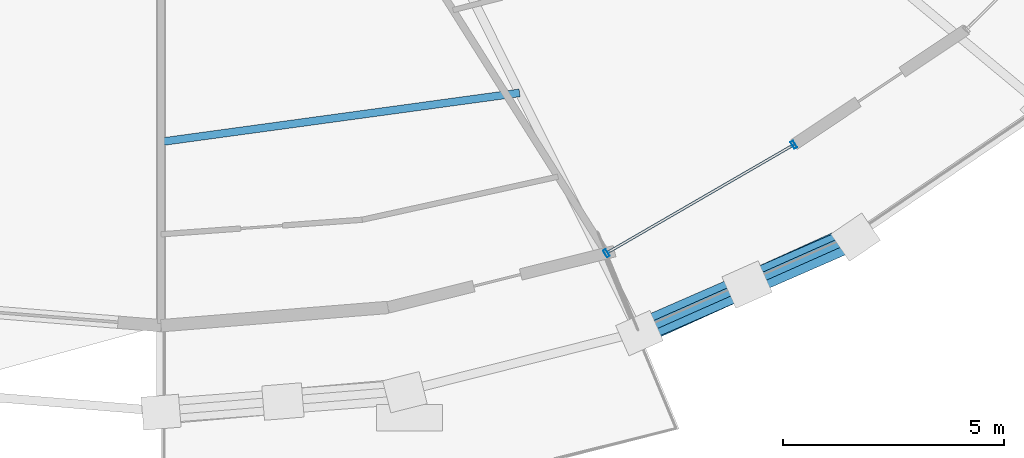
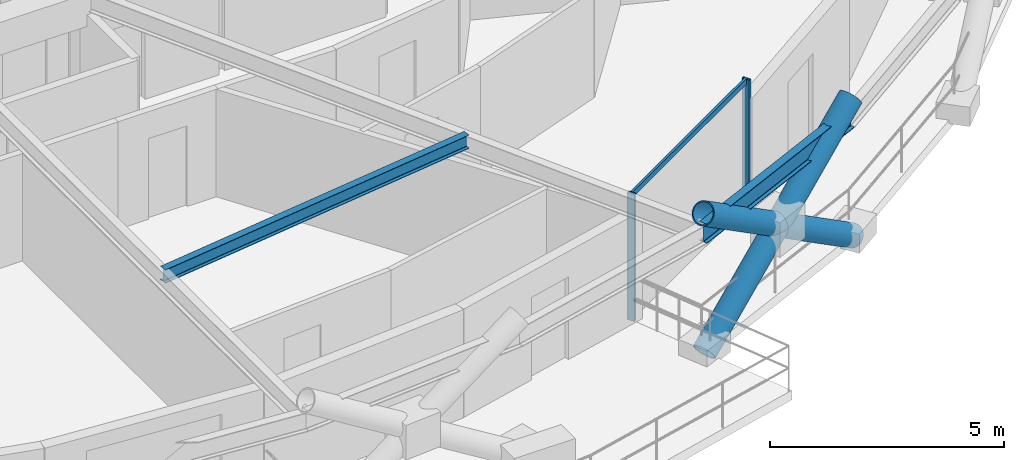
# One storey, part 2 of 14: 6 members, 2 beams, 1 element without a shape of its own.
"""IFC4 building model written with IfcOpenShell, lengths in metres."""

from ifc_helpers import new_model, si_unit, direction, frame, origin, origin_2d, place, context, subcontext, project, spatial, hollow_rectangle, hollow_circle, i_section, extrude, material, layer, layer_set, material_profile, profile_set, type_object, element, aggregate, save


model = new_model("IFC4")

# Units and contexts
model_context = context("Model", 3, precision=1e-05, world=origin(), true_north=direction((0.0, 1.0)))
body_context = subcontext(model_context, "Body", "Model", "MODEL_VIEW")
ifc_project = project(units=[si_unit("LENGTHUNIT", "METRE"), si_unit("AREAUNIT", "SQUARE_METRE"), si_unit("VOLUMEUNIT", "CUBIC_METRE"), si_unit("PLANEANGLEUNIT", "RADIAN"), si_unit("MASSUNIT", "GRAM", prefix="KILO")], contexts=[model_context])

# Site, building, storey
site_placement = place(None, origin())
site = spatial("IfcSite", under=ifc_project, at=site_placement, CompositionType="ELEMENT")
building_placement = place(site_placement, origin())
building = spatial("IfcBuilding", under=site, at=building_placement, Name="Veldorina Hangang Commons", CompositionType="ELEMENT")
storey_placement = place(building_placement, frame((0.0, 0.0, 149.60009765625)))
storey = spatial("IfcBuildingStorey", under=building, at=storey_placement, Name="L38", CompositionType="ELEMENT", Elevation=149.60009765625)

# Beams
ifc_material_1 = material(Name="Steel SM355-TMC", Category="steel")
ifc_material_profile_1 = material_profile(ifc_material_1, i_section(OverallWidth=0.175048828125, OverallDepth=0.35009765625, WebThickness=0.007080078125, FlangeThickness=0.010986328125, FilletRadius=0.012939453125, at=origin_2d()), Name="H-350x175x7x11")
ifc_profile_set_1 = profile_set([ifc_material_profile_1], Name="Steel SM355-TMC")
beam_type_1 = type_object("IfcBeamType", Name="BM-JST350", PredefinedType="JOIST", material=ifc_profile_set_1)
beam_1_placement = place(storey_placement, frame((32.0, 6.598388671875, 3.1748046875), z_axis=(0.990806050519, 0.13528994883, 0.0), x_axis=(-0.13528994883, 0.990806050519, 0.0)))
element("IfcBeam", 1, at=beam_1_placement, inside=storey, type_object=beam_type_1, Name="L38 secondary floor joist 13", PredefinedType="JOIST", context=body_context, shape_type="SweptSolid", body=[
    extrude(i_section(OverallWidth=0.175048828125, OverallDepth=0.35009765625, WebThickness=0.007080078125, FlangeThickness=0.010986328125, FilletRadius=0.012939453125, at=origin_2d()), origin(), (0.0, 0.0, 1.0), 8.1982421875),
])
ifc_material_2 = material(Name="Steel SM420-TMC", Category="steel")
ifc_material_profile_2 = material_profile(ifc_material_2, i_section(OverallWidth=0.199951171875, OverallDepth=0.5, WebThickness=0.010009765625, FlangeThickness=0.01611328125, FilletRadius=0.01611328125, at=origin_2d()), Name="H-500x200x10x16")
ifc_profile_set_2 = profile_set([ifc_material_profile_2], Name="Steel SM420-TMC")
beam_type_2 = type_object("IfcBeamType", Name="BM-RB500", PredefinedType="BEAM", material=ifc_profile_set_2)
beam_2_placement = place(storey_placement, frame((42.824951171875, 2.2880859375, 3.099853515625), z_axis=(0.91394132535, 0.405846342619, 0.0), x_axis=(-0.405846342619, 0.91394132535, 0.0)))
element("IfcBeam", 2, at=beam_2_placement, inside=storey, type_object=beam_type_2, Name="L38 perimeter hoop ring beam 26", PredefinedType="BEAM", context=body_context, shape_type="SweptSolid", body=[
    extrude(i_section(OverallWidth=0.199951171875, OverallDepth=0.5, WebThickness=0.010009765625, FlangeThickness=0.01611328125, FilletRadius=0.01611328125, at=origin_2d()), origin(), (0.0, 0.0, 1.0), 5.350830078125),
])

# Curtain wall, members
ifc_material_3 = material(Name="Glass Low-E Triple IGU", Category="glass")
ifc_layer = layer(ifc_material_3, 0.179931640625)
ifc_layer_set = layer_set([ifc_layer], Name="Glass Low-E Triple IGU")
curtain_wall_type = type_object("IfcCurtainWallType", Name="CW-SYS-Z2", PredefinedType="NOTDEFINED", material=ifc_layer_set)
curtain_wall_placement = place(storey_placement, origin())
curtain_wall = element("IfcCurtainWall", 3, at=curtain_wall_placement, inside=storey, type_object=curtain_wall_type, Name="L38 unitised curtain wall CW-L38-R1", PredefinedType="NOTDEFINED")
ifc_material_4 = material(Name="Aluminium Anodized AA6063-T6", Category="aluminium")
ifc_material_profile_3 = material_profile(ifc_material_4, hollow_rectangle(XDim=0.070068359375, YDim=0.179931640625, WallThickness=0.00390625, at=origin_2d()), Name="ALU-RHS-180x70x4")
ifc_profile_set_3 = profile_set([ifc_material_profile_3], Name="Aluminium Anodized AA6063-T6")
member_type_1 = type_object("IfcMemberType", Name="CW-MUL-180", PredefinedType="MULLION", material=ifc_profile_set_3)
member_1_placement = place(storey_placement, frame((42.08984375, 4.07373046875, 0.0), z_axis=(0.0, 0.0, 1.0), x_axis=(0.865440126505, 0.501012362557, 0.0)))
member_1 = element("IfcMember", 4, at=member_1_placement, type_object=member_type_1, Name="CW-L38-R1 vertical mullion 1", PredefinedType="MULLION", context=body_context, shape_type="SweptSolid", body=[
    extrude(hollow_rectangle(XDim=0.070068359375, YDim=0.179931640625, WallThickness=0.00390625, at=origin_2d()), origin(), (0.0, 0.0, 1.0), 3.309814453125),
])
member_2_placement = place(storey_placement, frame((46.3369140625, 6.532470703125, 0.0), z_axis=(0.0, 0.0, 1.0), x_axis=(-0.865440126505, -0.501012362557, 0.0)))
member_2 = element("IfcMember", 5, at=member_2_placement, type_object=member_type_1, Name="CW-L38-R1 vertical mullion 2", PredefinedType="MULLION", context=body_context, shape_type="SweptSolid", body=[
    extrude(hollow_rectangle(XDim=0.070068359375, YDim=0.179931640625, WallThickness=0.00390625, at=origin_2d()), origin(), (0.0, 0.0, 1.0), 3.309814453125),
])
ifc_material_profile_4 = material_profile(ifc_material_4, hollow_rectangle(XDim=0.06005859375, YDim=0.139892578125, WallThickness=0.00341796875, at=origin_2d()), Name="ALU-RHS-140x60x3.5")
ifc_profile_set_4 = profile_set([ifc_material_profile_4], Name="Aluminium Anodized AA6063-T6")
member_type_2 = type_object("IfcMemberType", Name="CW-TRN-140", PredefinedType="USERDEFINED", material=ifc_profile_set_4)
member_3_placement = place(storey_placement, frame((42.08984375, 4.07373046875, 3.27001953125), z_axis=(0.865434232832, 0.501022543048, 0.0), x_axis=(-0.501022543048, 0.865434232832, 0.0)))
member_3 = element("IfcMember", 6, at=member_3_placement, type_object=member_type_2, Name="CW-L38-R1 facet 1 transom 1", ObjectType="TRANSOM", PredefinedType="USERDEFINED", context=body_context, shape_type="SweptSolid", body=[
    extrude(hollow_rectangle(XDim=0.06005859375, YDim=0.139892578125, WallThickness=0.00341796875, at=origin_2d()), origin(), (0.0, 0.0, 1.0), 4.907470703125),
])
aggregate(curtain_wall, [member_1, member_2, member_3])

# Members
ifc_material_profile_5 = material_profile(ifc_material_2, hollow_circle(Radius=0.27490234375, WallThickness=0.028076171875, at=origin_2d()), Name="CHS-550x28")
ifc_profile_set_5 = profile_set([ifc_material_profile_5], Name="Steel SM420-TMC")
member_type_3 = type_object("IfcMemberType", Name="DG-CHS550", PredefinedType="BRACE", material=ifc_profile_set_5)
member_4_placement = place(storey_placement, frame((42.83984375, 2.262939453125, 0.0), z_axis=(0.7559464412, 0.341418384172, 0.558550324489), x_axis=(-0.411609970981, 0.911360099955, 0.0)))
element("IfcMember", 7, at=member_4_placement, inside=storey, type_object=member_type_3, Name="L38 continuous perimeter diagrid brace 26", PredefinedType="BRACE", context=body_context, shape_type="SweptSolid", body=[
    extrude(hollow_circle(Radius=0.27490234375, WallThickness=0.028076171875, at=origin_2d()), origin(), (0.0, 0.0, 1.0), 6.445068359375),
])
member_5_placement = place(storey_placement, frame((47.737060546875, 4.437255859375, 0.0), z_axis=(-0.760989931178, -0.332073827423, 0.557334098891), x_axis=(0.39995001438, -0.916536952881, 0.0)))
element("IfcMember", 8, at=member_5_placement, inside=storey, type_object=member_type_3, Name="L38 split perimeter diagrid lower brace 27", PredefinedType="BRACE", context=body_context, shape_type="SweptSolid", body=[
    extrude(hollow_circle(Radius=0.27490234375, WallThickness=0.028076171875, at=origin_2d()), origin(), (0.0, 0.0, 1.0), 3.23193359375),
])
member_6_placement = place(storey_placement, frame((45.277587890625, 3.364013671875, 1.80126953125), z_axis=(-0.760884407169, -0.332168113313, 0.557421979675), x_axis=(0.400092001366, -0.916474980806, 0.0)))
element("IfcMember", 9, at=member_6_placement, inside=storey, type_object=member_type_3, Name="L38 split perimeter diagrid upper brace 27", PredefinedType="BRACE", context=body_context, shape_type="SweptSolid", body=[
    extrude(hollow_circle(Radius=0.27490234375, WallThickness=0.028076171875, at=origin_2d()), origin(), (0.0, 0.0, 1.0), 3.2265625),
])

save(model, "model.ifc")
